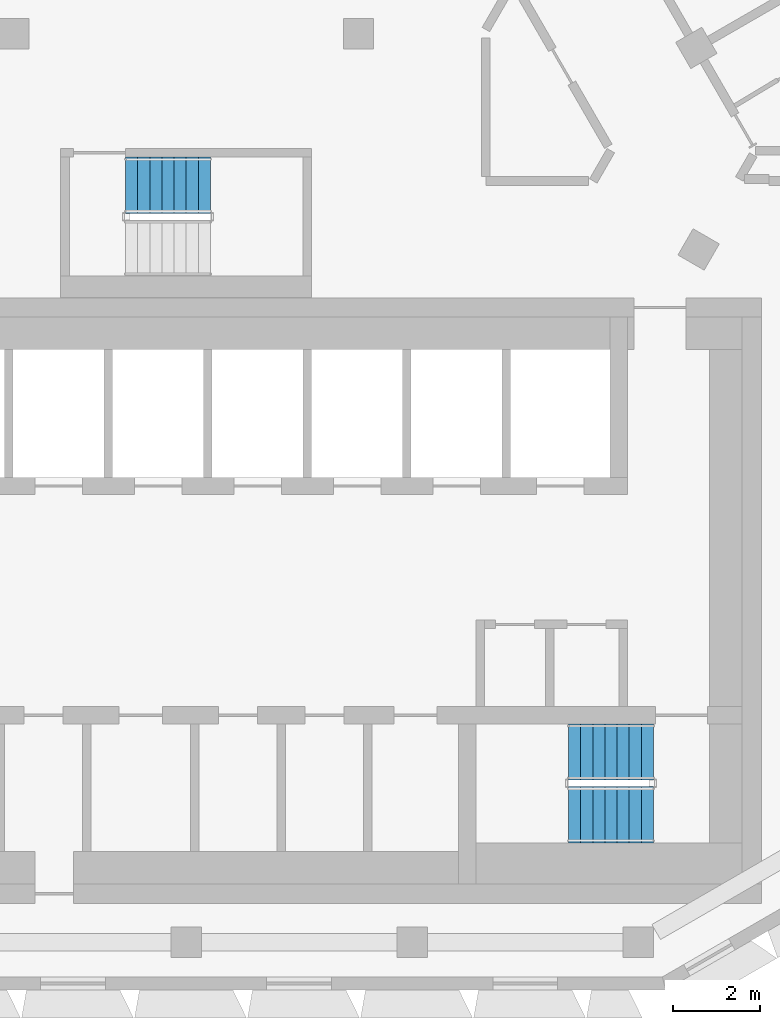
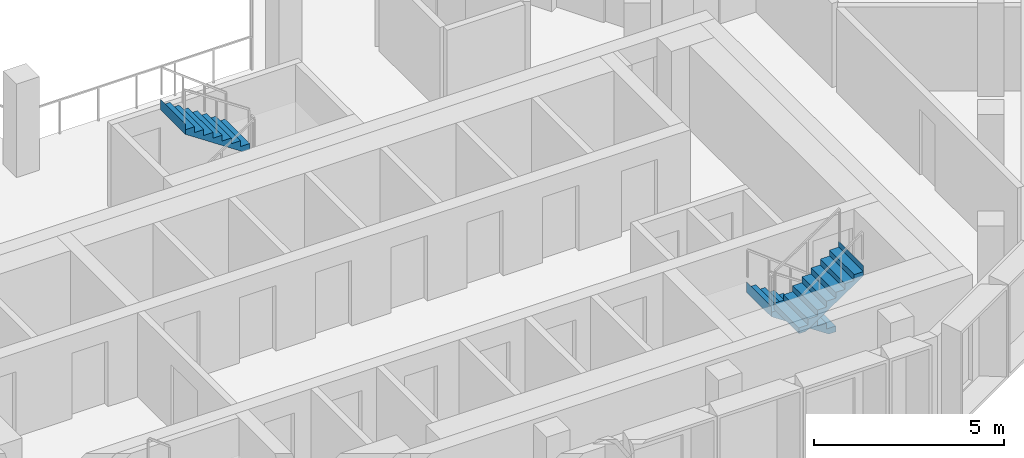
# One storey, part 9 of 14: 3 stair flights, 2 elements without a shape of their own.
"""IFC4 building model written with IfcOpenShell, lengths in metres."""

from ifc_helpers import new_model, si_unit, direction, frame, origin, place, context, subcontext, project, spatial, triangles, material, type_object, element, aggregate, save


model = new_model("IFC4")

# Units and contexts
model_context = context("Model", 3, precision=1e-05, world=origin(), true_north=direction((0.0, 1.0)))
body_context = subcontext(model_context, "Body", "Model", "MODEL_VIEW")
ifc_project = project(units=[si_unit("LENGTHUNIT", "METRE"), si_unit("AREAUNIT", "SQUARE_METRE"), si_unit("VOLUMEUNIT", "CUBIC_METRE"), si_unit("PLANEANGLEUNIT", "RADIAN"), si_unit("MASSUNIT", "GRAM", prefix="KILO")], contexts=[model_context])

# Site, building, storey
site_placement = place(None, origin())
site = spatial("IfcSite", under=ifc_project, at=site_placement, CompositionType="ELEMENT")
building_placement = place(site_placement, origin())
building = spatial("IfcBuilding", under=site, at=building_placement, Name="Beryl Residences", CompositionType="ELEMENT")
storey_placement = place(building_placement, frame((0.0, 0.0, 229.800048828125)))
storey = spatial("IfcBuildingStorey", under=building, at=storey_placement, Name="L71", CompositionType="ELEMENT", Elevation=229.800048828125)

# Stair, stair flights
ifc_material_1 = material(Name="Concrete C40/50", Category="concrete")
stair_type = type_object("IfcStairType", Name="ST1 protected exit stair, half-turn, 1300 mm flights", PredefinedType="HALF_TURN_STAIR", material=ifc_material_1)
stair_1_placement = place(storey_placement, origin())
stair_1 = element("IfcStair", 1, at=stair_1_placement, inside=storey, type_object=stair_type, Name="L71 PROTECTED EXIT STAIR ST-3", PredefinedType="HALF_TURN_STAIR")
ifc_material_2 = material(Name="Concrete C40/50", Category="concrete")
stair_flight_type = type_object("IfcStairFlightType", Name="SF1 stair flight 1300 mm", PredefinedType="STRAIGHT", material=ifc_material_2)
stair_flight_1_placement = place(storey_placement, frame((10.800048828125, -15.5, 0.0), z_axis=(0.0, 0.0, 1.0), x_axis=(-1.0, 0.0, 0.0)))
stair_flight_1 = element("IfcStairFlight", 2, at=stair_flight_1_placement, type_object=stair_flight_type, Name="ST-3 flight 1", NumberOfRisers=8, NumberOfTreads=7, PredefinedType="STRAIGHT", RiserHeight=0.1875, TreadLength=0.28, context=body_context, shape_type="Tessellation", body=[
    triangles([(0.0, -0.64990234375, 0.0), (0.0, -0.324951171875, 0.0), (0.0, 0.0, 0.0), (0.0, 0.324951171875, 0.0), (0.0, 0.64990234375, 0.0), (0.0, -0.64990234375, 0.1875), (0.0, -0.324951171875, 0.1875), (0.0, 0.0, 0.1875), (0.0, 0.324951171875, 0.1875), (0.0, 0.64990234375, 0.1875), (0.280029296875, -0.64990234375, 0.1875), (0.280029296875, -0.324951171875, 0.1875), (0.280029296875, 0.0, 0.1875), (0.280029296875, 0.324951171875, 0.1875), (0.280029296875, 0.64990234375, 0.1875), (0.280029296875, -0.64990234375, 0.375), (0.280029296875, -0.324951171875, 0.375), (0.280029296875, 0.0, 0.375), (0.280029296875, 0.324951171875, 0.375), (0.280029296875, 0.64990234375, 0.375), (0.56005859375, -0.64990234375, 0.375), (0.56005859375, -0.324951171875, 0.375), (0.56005859375, 0.0, 0.375), (0.56005859375, 0.324951171875, 0.375), (0.56005859375, 0.64990234375, 0.375), (0.56005859375, -0.64990234375, 0.5625), (0.56005859375, -0.324951171875, 0.5625), (0.56005859375, 0.0, 0.5625), (0.56005859375, 0.324951171875, 0.5625), (0.56005859375, 0.64990234375, 0.5625), (0.840087890625, -0.64990234375, 0.5625), (0.840087890625, -0.324951171875, 0.5625), (0.840087890625, 0.0, 0.5625), (0.840087890625, 0.324951171875, 0.5625), (0.840087890625, 0.64990234375, 0.5625), (0.840087890625, -0.64990234375, 0.75), (0.840087890625, -0.324951171875, 0.75), (0.840087890625, 0.0, 0.75), (0.840087890625, 0.324951171875, 0.75), (0.840087890625, 0.64990234375, 0.75), (1.1201171875, -0.64990234375, 0.75), (1.1201171875, -0.324951171875, 0.75), (1.1201171875, 0.0, 0.75), (1.1201171875, 0.324951171875, 0.75), (1.1201171875, 0.64990234375, 0.75), (1.1201171875, -0.64990234375, 0.9375), (1.1201171875, -0.324951171875, 0.9375), (1.1201171875, 0.0, 0.9375), (1.1201171875, 0.324951171875, 0.9375), (1.1201171875, 0.64990234375, 0.9375), (1.39990234375, -0.64990234375, 0.9375), (1.39990234375, -0.324951171875, 0.9375), (1.39990234375, 0.0, 0.9375), (1.39990234375, 0.324951171875, 0.9375), (1.39990234375, 0.64990234375, 0.9375), (1.39990234375, -0.64990234375, 1.125), (1.39990234375, -0.324951171875, 1.125), (1.39990234375, 0.0, 1.125), (1.39990234375, 0.324951171875, 1.125), (1.39990234375, 0.64990234375, 1.125), (1.679931640625, -0.64990234375, 1.125), (1.679931640625, -0.324951171875, 1.125), (1.679931640625, 0.0, 1.125), (1.679931640625, 0.324951171875, 1.125), (1.679931640625, 0.64990234375, 1.125), (1.679931640625, -0.64990234375, 1.3125), (1.679931640625, -0.324951171875, 1.3125), (1.679931640625, 0.0, 1.3125), (1.679931640625, 0.324951171875, 1.3125), (1.679931640625, 0.64990234375, 1.3125), (1.9599609375, -0.64990234375, 1.3125), (1.9599609375, -0.324951171875, 1.3125), (1.9599609375, 0.0, 1.3125), (1.9599609375, 0.324951171875, 1.3125), (1.9599609375, 0.64990234375, 1.3125), (1.9599609375, -0.64990234375, 1.5), (1.9599609375, -0.324951171875, 1.5), (1.9599609375, 0.0, 1.5), (1.9599609375, 0.324951171875, 1.5), (1.9599609375, 0.64990234375, 1.5), (1.9609375, -0.64990234375, 1.5), (1.9609375, -0.324951171875, 1.5), (1.9609375, 0.0, 1.5), (1.9609375, 0.324951171875, 1.5), (1.9609375, 0.64990234375, 1.5), (1.9609375, -0.64990234375, 1.16796875), (1.9609375, -0.324951171875, 1.16796875), (1.9609375, 0.0, 1.16796875), (1.9609375, 0.324951171875, 1.16796875), (1.9609375, 0.64990234375, 1.16796875), (0.216796875, -0.64990234375, 0.0), (0.216796875, -0.324951171875, 0.0), (0.216796875, 0.0, 0.0), (0.216796875, 0.324951171875, 0.0), (0.216796875, 0.64990234375, 0.0)], [[1, 6, 7], [1, 7, 2], [2, 7, 8], [2, 8, 3], [3, 8, 9], [3, 9, 4], [4, 9, 10], [4, 10, 5], [6, 11, 12], [6, 12, 7], [7, 12, 13], [7, 13, 8], [8, 13, 14], [8, 14, 9], [9, 14, 15], [9, 15, 10], [11, 16, 17], [11, 17, 12], [12, 17, 18], [12, 18, 13], [13, 18, 19], [13, 19, 14], [14, 19, 20], [14, 20, 15], [16, 21, 22], [16, 22, 17], [17, 22, 23], [17, 23, 18], [18, 23, 24], [18, 24, 19], [19, 24, 25], [19, 25, 20], [21, 26, 27], [21, 27, 22], [22, 27, 28], [22, 28, 23], [23, 28, 29], [23, 29, 24], [24, 29, 30], [24, 30, 25], [26, 31, 32], [26, 32, 27], [27, 32, 33], [27, 33, 28], [28, 33, 34], [28, 34, 29], [29, 34, 35], [29, 35, 30], [31, 36, 37], [31, 37, 32], [32, 37, 38], [32, 38, 33], [33, 38, 39], [33, 39, 34], [34, 39, 40], [34, 40, 35], [36, 41, 42], [36, 42, 37], [37, 42, 43], [37, 43, 38], [38, 43, 44], [38, 44, 39], [39, 44, 45], [39, 45, 40], [41, 46, 47], [41, 47, 42], [42, 47, 48], [42, 48, 43], [43, 48, 49], [43, 49, 44], [44, 49, 50], [44, 50, 45], [46, 51, 52], [46, 52, 47], [47, 52, 53], [47, 53, 48], [48, 53, 54], [48, 54, 49], [49, 54, 55], [49, 55, 50], [51, 56, 57], [51, 57, 52], [52, 57, 58], [52, 58, 53], [53, 58, 59], [53, 59, 54], [54, 59, 60], [54, 60, 55], [56, 61, 62], [56, 62, 57], [57, 62, 63], [57, 63, 58], [58, 63, 64], [58, 64, 59], [59, 64, 65], [59, 65, 60], [61, 66, 67], [61, 67, 62], [62, 67, 68], [62, 68, 63], [63, 68, 69], [63, 69, 64], [64, 69, 70], [64, 70, 65], [66, 71, 72], [66, 72, 67], [67, 72, 73], [67, 73, 68], [68, 73, 74], [68, 74, 69], [69, 74, 75], [69, 75, 70], [71, 76, 77], [71, 77, 72], [72, 77, 78], [72, 78, 73], [73, 78, 79], [73, 79, 74], [74, 79, 80], [74, 80, 75], [76, 81, 82], [76, 82, 77], [77, 82, 83], [77, 83, 78], [78, 83, 84], [78, 84, 79], [79, 84, 85], [79, 85, 80], [81, 86, 87], [81, 87, 82], [82, 87, 88], [82, 88, 83], [83, 88, 89], [83, 89, 84], [84, 89, 90], [84, 90, 85], [86, 91, 92], [86, 92, 87], [87, 92, 93], [87, 93, 88], [88, 93, 94], [88, 94, 89], [89, 94, 95], [89, 95, 90], [91, 1, 2], [91, 2, 92], [92, 2, 3], [92, 3, 93], [93, 3, 4], [93, 4, 94], [94, 4, 5], [94, 5, 95], [1, 91, 86], [5, 90, 95], [86, 81, 76], [90, 80, 85], [86, 76, 71], [90, 75, 80], [86, 71, 66], [90, 70, 75], [86, 66, 61], [90, 65, 70], [61, 56, 51], [65, 55, 60], [86, 61, 51], [90, 55, 65], [51, 46, 41], [55, 45, 50], [86, 51, 41], [90, 45, 55], [41, 36, 31], [45, 35, 40], [86, 41, 31], [90, 35, 45], [31, 26, 21], [35, 25, 30], [86, 31, 21], [90, 25, 35], [21, 16, 11], [25, 15, 20], [86, 21, 11], [90, 15, 25], [1, 86, 11], [5, 15, 90], [11, 6, 1], [15, 5, 10]], closed=True),
])
stair_flight_2_placement = place(storey_placement, frame((8.840087890625, -16.949951171875, 1.5), z_axis=(0.0, 0.0, 1.0), x_axis=(1.0, 0.0, 0.0)))
stair_flight_2 = element("IfcStairFlight", 3, at=stair_flight_2_placement, type_object=stair_flight_type, Name="ST-3 flight 2", NumberOfRisers=8, NumberOfTreads=7, PredefinedType="STRAIGHT", RiserHeight=0.1875, TreadLength=0.28, context=body_context, shape_type="Tessellation", body=[
    triangles([(0.0, -0.64990234375, 0.0), (0.0, -0.324951171875, 0.0), (0.0, 0.0, 0.0), (0.0, 0.324951171875, 0.0), (0.0, 0.64990234375, 0.0), (0.0, -0.64990234375, 0.1875), (0.0, -0.324951171875, 0.1875), (0.0, 0.0, 0.1875), (0.0, 0.324951171875, 0.1875), (0.0, 0.64990234375, 0.1875), (0.280029296875, -0.64990234375, 0.1875), (0.280029296875, -0.324951171875, 0.1875), (0.280029296875, 0.0, 0.1875), (0.280029296875, 0.324951171875, 0.1875), (0.280029296875, 0.64990234375, 0.1875), (0.280029296875, -0.64990234375, 0.375), (0.280029296875, -0.324951171875, 0.375), (0.280029296875, 0.0, 0.375), (0.280029296875, 0.324951171875, 0.375), (0.280029296875, 0.64990234375, 0.375), (0.56005859375, -0.64990234375, 0.375), (0.56005859375, -0.324951171875, 0.375), (0.56005859375, 0.0, 0.375), (0.56005859375, 0.324951171875, 0.375), (0.56005859375, 0.64990234375, 0.375), (0.56005859375, -0.64990234375, 0.5625), (0.56005859375, -0.324951171875, 0.5625), (0.56005859375, 0.0, 0.5625), (0.56005859375, 0.324951171875, 0.5625), (0.56005859375, 0.64990234375, 0.5625), (0.840087890625, -0.64990234375, 0.5625), (0.840087890625, -0.324951171875, 0.5625), (0.840087890625, 0.0, 0.5625), (0.840087890625, 0.324951171875, 0.5625), (0.840087890625, 0.64990234375, 0.5625), (0.840087890625, -0.64990234375, 0.75), (0.840087890625, -0.324951171875, 0.75), (0.840087890625, 0.0, 0.75), (0.840087890625, 0.324951171875, 0.75), (0.840087890625, 0.64990234375, 0.75), (1.1201171875, -0.64990234375, 0.75), (1.1201171875, -0.324951171875, 0.75), (1.1201171875, 0.0, 0.75), (1.1201171875, 0.324951171875, 0.75), (1.1201171875, 0.64990234375, 0.75), (1.1201171875, -0.64990234375, 0.9375), (1.1201171875, -0.324951171875, 0.9375), (1.1201171875, 0.0, 0.9375), (1.1201171875, 0.324951171875, 0.9375), (1.1201171875, 0.64990234375, 0.9375), (1.39990234375, -0.64990234375, 0.9375), (1.39990234375, -0.324951171875, 0.9375), (1.39990234375, 0.0, 0.9375), (1.39990234375, 0.324951171875, 0.9375), (1.39990234375, 0.64990234375, 0.9375), (1.39990234375, -0.64990234375, 1.125), (1.39990234375, -0.324951171875, 1.125), (1.39990234375, 0.0, 1.125), (1.39990234375, 0.324951171875, 1.125), (1.39990234375, 0.64990234375, 1.125), (1.679931640625, -0.64990234375, 1.125), (1.679931640625, -0.324951171875, 1.125), (1.679931640625, 0.0, 1.125), (1.679931640625, 0.324951171875, 1.125), (1.679931640625, 0.64990234375, 1.125), (1.679931640625, -0.64990234375, 1.3125), (1.679931640625, -0.324951171875, 1.3125), (1.679931640625, 0.0, 1.3125), (1.679931640625, 0.324951171875, 1.3125), (1.679931640625, 0.64990234375, 1.3125), (1.9599609375, -0.64990234375, 1.3125), (1.9599609375, -0.324951171875, 1.3125), (1.9599609375, 0.0, 1.3125), (1.9599609375, 0.324951171875, 1.3125), (1.9599609375, 0.64990234375, 1.3125), (1.9599609375, -0.64990234375, 1.5), (1.9599609375, -0.324951171875, 1.5), (1.9599609375, 0.0, 1.5), (1.9599609375, 0.324951171875, 1.5), (1.9599609375, 0.64990234375, 1.5), (1.9609375, -0.64990234375, 1.5), (1.9609375, -0.324951171875, 1.5), (1.9609375, 0.0, 1.5), (1.9609375, 0.324951171875, 1.5), (1.9609375, 0.64990234375, 1.5), (1.9609375, -0.64990234375, 1.16796875), (1.9609375, -0.324951171875, 1.16796875), (1.9609375, 0.0, 1.16796875), (1.9609375, 0.324951171875, 1.16796875), (1.9609375, 0.64990234375, 1.16796875), (0.216796875, -0.64990234375, 0.0), (0.216796875, -0.324951171875, 0.0), (0.216796875, 0.0, 0.0), (0.216796875, 0.324951171875, 0.0), (0.216796875, 0.64990234375, 0.0)], [[1, 6, 7], [1, 7, 2], [2, 7, 8], [2, 8, 3], [3, 8, 9], [3, 9, 4], [4, 9, 10], [4, 10, 5], [6, 11, 12], [6, 12, 7], [7, 12, 13], [7, 13, 8], [8, 13, 14], [8, 14, 9], [9, 14, 15], [9, 15, 10], [11, 16, 17], [11, 17, 12], [12, 17, 18], [12, 18, 13], [13, 18, 19], [13, 19, 14], [14, 19, 20], [14, 20, 15], [16, 21, 22], [16, 22, 17], [17, 22, 23], [17, 23, 18], [18, 23, 24], [18, 24, 19], [19, 24, 25], [19, 25, 20], [21, 26, 27], [21, 27, 22], [22, 27, 28], [22, 28, 23], [23, 28, 29], [23, 29, 24], [24, 29, 30], [24, 30, 25], [26, 31, 32], [26, 32, 27], [27, 32, 33], [27, 33, 28], [28, 33, 34], [28, 34, 29], [29, 34, 35], [29, 35, 30], [31, 36, 37], [31, 37, 32], [32, 37, 38], [32, 38, 33], [33, 38, 39], [33, 39, 34], [34, 39, 40], [34, 40, 35], [36, 41, 42], [36, 42, 37], [37, 42, 43], [37, 43, 38], [38, 43, 44], [38, 44, 39], [39, 44, 45], [39, 45, 40], [41, 46, 47], [41, 47, 42], [42, 47, 48], [42, 48, 43], [43, 48, 49], [43, 49, 44], [44, 49, 50], [44, 50, 45], [46, 51, 52], [46, 52, 47], [47, 52, 53], [47, 53, 48], [48, 53, 54], [48, 54, 49], [49, 54, 55], [49, 55, 50], [51, 56, 57], [51, 57, 52], [52, 57, 58], [52, 58, 53], [53, 58, 59], [53, 59, 54], [54, 59, 60], [54, 60, 55], [56, 61, 62], [56, 62, 57], [57, 62, 63], [57, 63, 58], [58, 63, 64], [58, 64, 59], [59, 64, 65], [59, 65, 60], [61, 66, 67], [61, 67, 62], [62, 67, 68], [62, 68, 63], [63, 68, 69], [63, 69, 64], [64, 69, 70], [64, 70, 65], [66, 71, 72], [66, 72, 67], [67, 72, 73], [67, 73, 68], [68, 73, 74], [68, 74, 69], [69, 74, 75], [69, 75, 70], [71, 76, 77], [71, 77, 72], [72, 77, 78], [72, 78, 73], [73, 78, 79], [73, 79, 74], [74, 79, 80], [74, 80, 75], [76, 81, 82], [76, 82, 77], [77, 82, 83], [77, 83, 78], [78, 83, 84], [78, 84, 79], [79, 84, 85], [79, 85, 80], [81, 86, 87], [81, 87, 82], [82, 87, 88], [82, 88, 83], [83, 88, 89], [83, 89, 84], [84, 89, 90], [84, 90, 85], [86, 91, 92], [86, 92, 87], [87, 92, 93], [87, 93, 88], [88, 93, 94], [88, 94, 89], [89, 94, 95], [89, 95, 90], [91, 1, 2], [91, 2, 92], [92, 2, 3], [92, 3, 93], [93, 3, 4], [93, 4, 94], [94, 4, 5], [94, 5, 95], [1, 91, 86], [5, 90, 95], [86, 81, 76], [90, 80, 85], [86, 76, 71], [90, 75, 80], [86, 71, 66], [90, 70, 75], [86, 66, 61], [90, 65, 70], [61, 56, 51], [65, 55, 60], [86, 61, 51], [90, 55, 65], [51, 46, 41], [55, 45, 50], [86, 51, 41], [90, 45, 55], [41, 36, 31], [45, 35, 40], [86, 41, 31], [90, 35, 45], [31, 26, 21], [35, 25, 30], [86, 31, 21], [90, 25, 35], [21, 16, 11], [25, 15, 20], [86, 21, 11], [90, 15, 25], [1, 86, 11], [5, 15, 90], [11, 6, 1], [15, 5, 10]], closed=True),
])
aggregate(stair_1, [stair_flight_1, stair_flight_2])

# Stair, stair flight
stair_2_placement = place(storey_placement, origin())
stair_2 = element("IfcStair", 4, at=stair_2_placement, inside=storey, type_object=stair_type, Name="L71 PROTECTED EXIT STAIR ST-4", PredefinedType="HALF_TURN_STAIR")
stair_flight_3_placement = place(storey_placement, frame((0.56005859375, -2.39990234375, 1.5), z_axis=(0.0, 0.0, 1.0), x_axis=(-1.0, 0.0, 0.0)))
stair_flight_3 = element("IfcStairFlight", 5, at=stair_flight_3_placement, type_object=stair_flight_type, Name="ST-4 flight 2", NumberOfRisers=8, NumberOfTreads=7, PredefinedType="STRAIGHT", RiserHeight=0.1875, TreadLength=0.28, context=body_context, shape_type="Tessellation", body=[
    triangles([(0.0, -0.64990234375, 0.0), (0.0, -0.324951171875, 0.0), (0.0, 0.0, 0.0), (0.0, 0.324951171875, 0.0), (0.0, 0.64990234375, 0.0), (0.0, -0.64990234375, 0.1875), (0.0, -0.324951171875, 0.1875), (0.0, 0.0, 0.1875), (0.0, 0.324951171875, 0.1875), (0.0, 0.64990234375, 0.1875), (0.280029296875, -0.64990234375, 0.1875), (0.280029296875, -0.324951171875, 0.1875), (0.280029296875, 0.0, 0.1875), (0.280029296875, 0.324951171875, 0.1875), (0.280029296875, 0.64990234375, 0.1875), (0.280029296875, -0.64990234375, 0.375), (0.280029296875, -0.324951171875, 0.375), (0.280029296875, 0.0, 0.375), (0.280029296875, 0.324951171875, 0.375), (0.280029296875, 0.64990234375, 0.375), (0.56005859375, -0.64990234375, 0.375), (0.56005859375, -0.324951171875, 0.375), (0.56005859375, 0.0, 0.375), (0.56005859375, 0.324951171875, 0.375), (0.56005859375, 0.64990234375, 0.375), (0.56005859375, -0.64990234375, 0.5625), (0.56005859375, -0.324951171875, 0.5625), (0.56005859375, 0.0, 0.5625), (0.56005859375, 0.324951171875, 0.5625), (0.56005859375, 0.64990234375, 0.5625), (0.840087890625, -0.64990234375, 0.5625), (0.840087890625, -0.324951171875, 0.5625), (0.840087890625, 0.0, 0.5625), (0.840087890625, 0.324951171875, 0.5625), (0.840087890625, 0.64990234375, 0.5625), (0.840087890625, -0.64990234375, 0.75), (0.840087890625, -0.324951171875, 0.75), (0.840087890625, 0.0, 0.75), (0.840087890625, 0.324951171875, 0.75), (0.840087890625, 0.64990234375, 0.75), (1.1201171875, -0.64990234375, 0.75), (1.1201171875, -0.324951171875, 0.75), (1.1201171875, 0.0, 0.75), (1.1201171875, 0.324951171875, 0.75), (1.1201171875, 0.64990234375, 0.75), (1.1201171875, -0.64990234375, 0.9375), (1.1201171875, -0.324951171875, 0.9375), (1.1201171875, 0.0, 0.9375), (1.1201171875, 0.324951171875, 0.9375), (1.1201171875, 0.64990234375, 0.9375), (1.39990234375, -0.64990234375, 0.9375), (1.39990234375, -0.324951171875, 0.9375), (1.39990234375, 0.0, 0.9375), (1.39990234375, 0.324951171875, 0.9375), (1.39990234375, 0.64990234375, 0.9375), (1.39990234375, -0.64990234375, 1.125), (1.39990234375, -0.324951171875, 1.125), (1.39990234375, 0.0, 1.125), (1.39990234375, 0.324951171875, 1.125), (1.39990234375, 0.64990234375, 1.125), (1.679931640625, -0.64990234375, 1.125), (1.679931640625, -0.324951171875, 1.125), (1.679931640625, 0.0, 1.125), (1.679931640625, 0.324951171875, 1.125), (1.679931640625, 0.64990234375, 1.125), (1.679931640625, -0.64990234375, 1.3125), (1.679931640625, -0.324951171875, 1.3125), (1.679931640625, 0.0, 1.3125), (1.679931640625, 0.324951171875, 1.3125), (1.679931640625, 0.64990234375, 1.3125), (1.9599609375, -0.64990234375, 1.3125), (1.9599609375, -0.324951171875, 1.3125), (1.9599609375, 0.0, 1.3125), (1.9599609375, 0.324951171875, 1.3125), (1.9599609375, 0.64990234375, 1.3125), (1.9599609375, -0.64990234375, 1.5), (1.9599609375, -0.324951171875, 1.5), (1.9599609375, 0.0, 1.5), (1.9599609375, 0.324951171875, 1.5), (1.9599609375, 0.64990234375, 1.5), (1.9609375, -0.64990234375, 1.5), (1.9609375, -0.324951171875, 1.5), (1.9609375, 0.0, 1.5), (1.9609375, 0.324951171875, 1.5), (1.9609375, 0.64990234375, 1.5), (1.9609375, -0.64990234375, 1.16796875), (1.9609375, -0.324951171875, 1.16796875), (1.9609375, 0.0, 1.16796875), (1.9609375, 0.324951171875, 1.16796875), (1.9609375, 0.64990234375, 1.16796875), (0.216796875, -0.64990234375, 0.0), (0.216796875, -0.324951171875, 0.0), (0.216796875, 0.0, 0.0), (0.216796875, 0.324951171875, 0.0), (0.216796875, 0.64990234375, 0.0)], [[1, 6, 7], [1, 7, 2], [2, 7, 8], [2, 8, 3], [3, 8, 9], [3, 9, 4], [4, 9, 10], [4, 10, 5], [6, 11, 12], [6, 12, 7], [7, 12, 13], [7, 13, 8], [8, 13, 14], [8, 14, 9], [9, 14, 15], [9, 15, 10], [11, 16, 17], [11, 17, 12], [12, 17, 18], [12, 18, 13], [13, 18, 19], [13, 19, 14], [14, 19, 20], [14, 20, 15], [16, 21, 22], [16, 22, 17], [17, 22, 23], [17, 23, 18], [18, 23, 24], [18, 24, 19], [19, 24, 25], [19, 25, 20], [21, 26, 27], [21, 27, 22], [22, 27, 28], [22, 28, 23], [23, 28, 29], [23, 29, 24], [24, 29, 30], [24, 30, 25], [26, 31, 32], [26, 32, 27], [27, 32, 33], [27, 33, 28], [28, 33, 34], [28, 34, 29], [29, 34, 35], [29, 35, 30], [31, 36, 37], [31, 37, 32], [32, 37, 38], [32, 38, 33], [33, 38, 39], [33, 39, 34], [34, 39, 40], [34, 40, 35], [36, 41, 42], [36, 42, 37], [37, 42, 43], [37, 43, 38], [38, 43, 44], [38, 44, 39], [39, 44, 45], [39, 45, 40], [41, 46, 47], [41, 47, 42], [42, 47, 48], [42, 48, 43], [43, 48, 49], [43, 49, 44], [44, 49, 50], [44, 50, 45], [46, 51, 52], [46, 52, 47], [47, 52, 53], [47, 53, 48], [48, 53, 54], [48, 54, 49], [49, 54, 55], [49, 55, 50], [51, 56, 57], [51, 57, 52], [52, 57, 58], [52, 58, 53], [53, 58, 59], [53, 59, 54], [54, 59, 60], [54, 60, 55], [56, 61, 62], [56, 62, 57], [57, 62, 63], [57, 63, 58], [58, 63, 64], [58, 64, 59], [59, 64, 65], [59, 65, 60], [61, 66, 67], [61, 67, 62], [62, 67, 68], [62, 68, 63], [63, 68, 69], [63, 69, 64], [64, 69, 70], [64, 70, 65], [66, 71, 72], [66, 72, 67], [67, 72, 73], [67, 73, 68], [68, 73, 74], [68, 74, 69], [69, 74, 75], [69, 75, 70], [71, 76, 77], [71, 77, 72], [72, 77, 78], [72, 78, 73], [73, 78, 79], [73, 79, 74], [74, 79, 80], [74, 80, 75], [76, 81, 82], [76, 82, 77], [77, 82, 83], [77, 83, 78], [78, 83, 84], [78, 84, 79], [79, 84, 85], [79, 85, 80], [81, 86, 87], [81, 87, 82], [82, 87, 88], [82, 88, 83], [83, 88, 89], [83, 89, 84], [84, 89, 90], [84, 90, 85], [86, 91, 92], [86, 92, 87], [87, 92, 93], [87, 93, 88], [88, 93, 94], [88, 94, 89], [89, 94, 95], [89, 95, 90], [91, 1, 2], [91, 2, 92], [92, 2, 3], [92, 3, 93], [93, 3, 4], [93, 4, 94], [94, 4, 5], [94, 5, 95], [1, 91, 86], [5, 90, 95], [86, 81, 76], [90, 80, 85], [86, 76, 71], [90, 75, 80], [86, 71, 66], [90, 70, 75], [86, 66, 61], [90, 65, 70], [61, 56, 51], [65, 55, 60], [86, 61, 51], [90, 55, 65], [51, 46, 41], [55, 45, 50], [86, 51, 41], [90, 45, 55], [41, 36, 31], [45, 35, 40], [86, 41, 31], [90, 35, 45], [31, 26, 21], [35, 25, 30], [86, 31, 21], [90, 25, 35], [21, 16, 11], [25, 15, 20], [86, 21, 11], [90, 15, 25], [1, 86, 11], [5, 15, 90], [11, 6, 1], [15, 5, 10]], closed=True),
])
aggregate(stair_2, [stair_flight_3])

save(model, "model.ifc")
